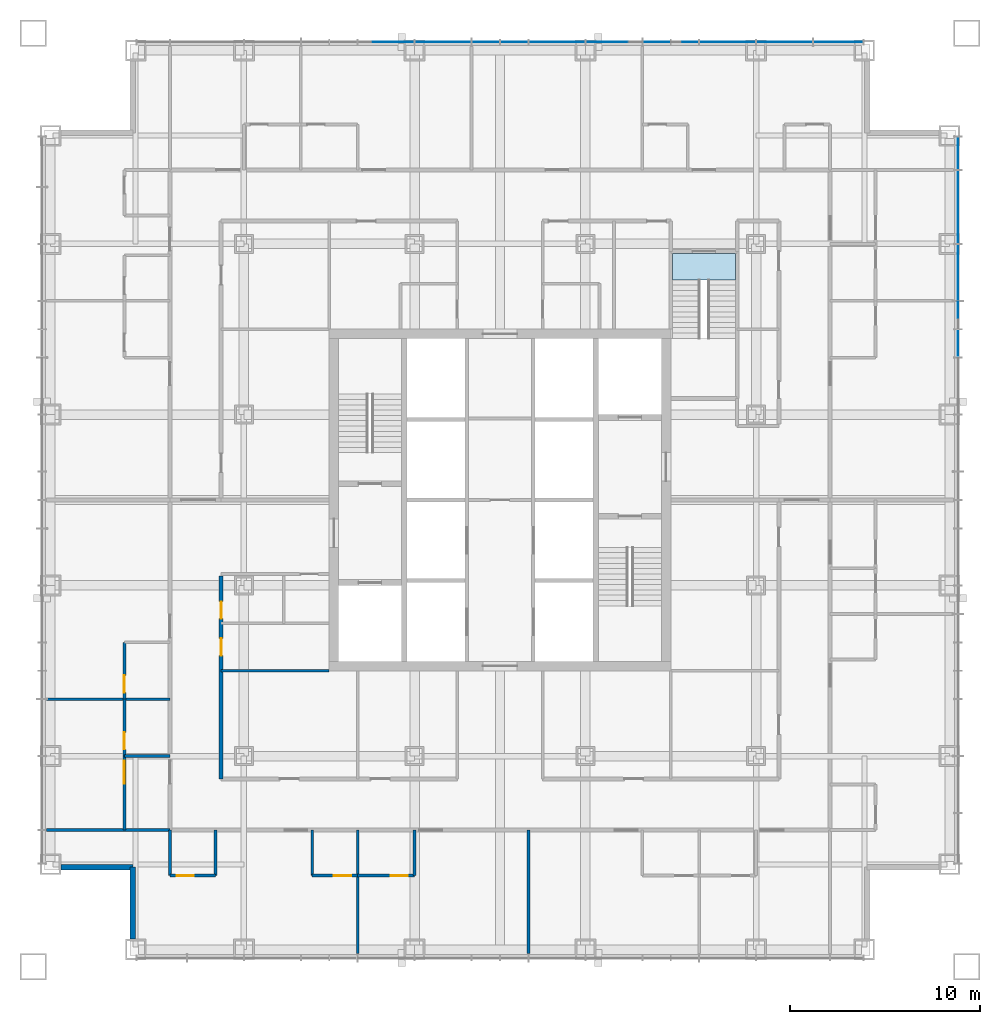
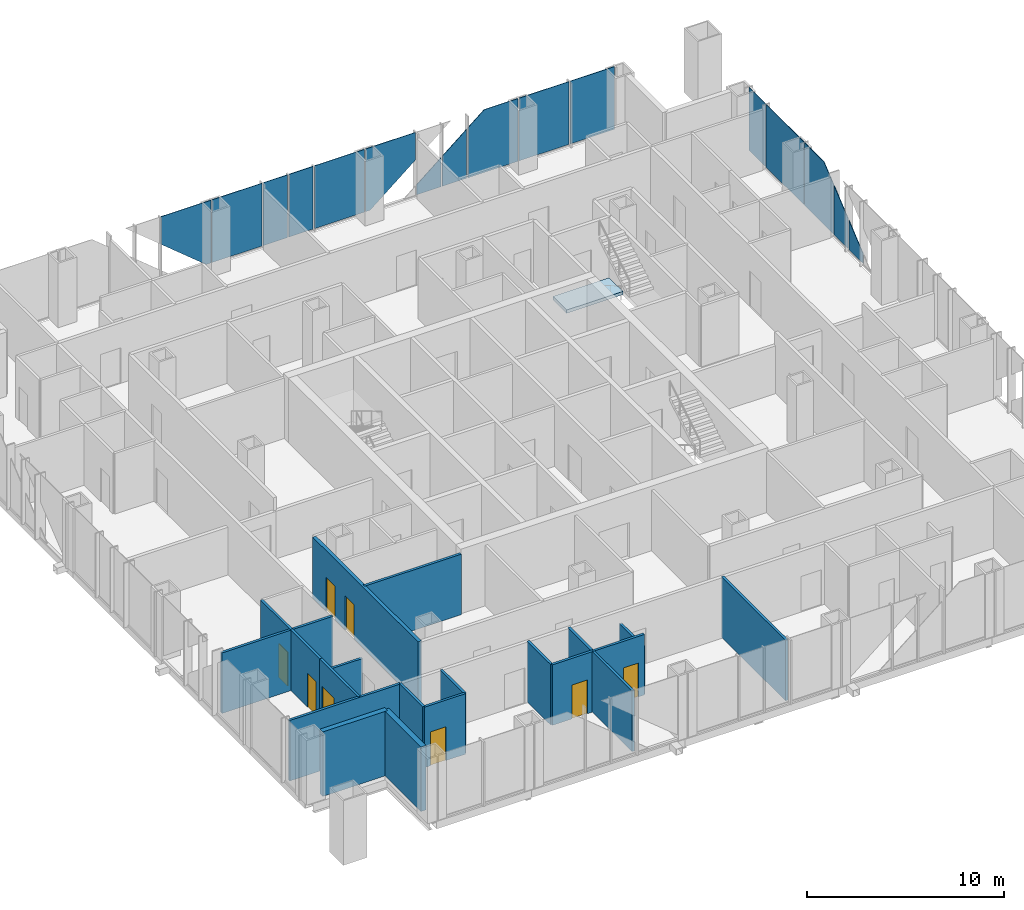
# One storey, part 8 of 18: 19 walls, 16 plates, 8 doors, 1 slab, 8 openings, 3 elements without a shape of their own.
"""IFC4 building model written with IfcOpenShell, lengths in metres."""

from ifc_helpers import new_model, si_unit, direction, frame, frame_2d, origin, origin_2d, place, context, subcontext, project, spatial, polyline, rectangle, outline, extrude, material, layer, layer_set, type_object, element, fill, aggregate, save


model = new_model("IFC4")

# Units and contexts
model_context = context("Model", 3, precision=1e-05, world=origin(), true_north=direction((0.0, 1.0)))
body_context = subcontext(model_context, "Body", "Model", "MODEL_VIEW")
ifc_project = project(units=[si_unit("LENGTHUNIT", "METRE"), si_unit("AREAUNIT", "SQUARE_METRE"), si_unit("VOLUMEUNIT", "CUBIC_METRE"), si_unit("PLANEANGLEUNIT", "RADIAN"), si_unit("MASSUNIT", "GRAM", prefix="KILO")], contexts=[model_context])

# Site, building, storey
site_placement = place(None, origin())
site = spatial("IfcSite", under=ifc_project, at=site_placement, CompositionType="ELEMENT")
building_placement = place(site_placement, origin())
building = spatial("IfcBuilding", under=site, at=building_placement, Name="Malebo Sky Hospital", CompositionType="ELEMENT")
storey_placement = place(building_placement, frame((0.0, 0.0, 124.0)))
storey = spatial("IfcBuildingStorey", under=building, at=storey_placement, Name="L29", CompositionType="ELEMENT", Elevation=124.0)

# Stair, slab
ifc_material_1 = material(Name="Concrete C40/50", Category="concrete")
stair_type = type_object("IfcStairType", Name="HALF-TURN STAIR 1400 R167", PredefinedType="HALF_TURN_STAIR", material=ifc_material_1)
stair_placement = place(storey_placement, origin())
stair = element("IfcStair", 1, at=stair_placement, inside=storey, type_object=stair_type, Name="Stair S3 L29 type ST1B", PredefinedType="HALF_TURN_STAIR")
ifc_layer_1 = layer(ifc_material_1, 0.199951171875)
ifc_layer_set_1 = layer_set([ifc_layer_1], Name="STAIR LANDING 200")
slab_type = type_object("IfcSlabType", Name="STAIR LANDING 200", PredefinedType="LANDING", material=ifc_layer_set_1)
slab_placement = place(storey_placement, frame((0.0, 0.0, -0.199951171875)))
slab = element("IfcSlab", 2, at=slab_placement, type_object=slab_type, Name="S3 landing 1", PredefinedType="LANDING", context=body_context, shape_type="SweptSolid", body=[
    extrude(outline(polyline([(69.10009765625, 73.60009765625), (72.39990234375, 73.60009765625), (72.39990234375, 75.0), (69.10009765625, 75.0), (69.10009765625, 73.60009765625)])), origin(), (0.0, 0.0, 1.0), 0.199951171875),
])
aggregate(stair, [slab])

# Curtain wall, plates
ifc_material_2 = material(Name="Anodised aluminium, natural silver", Category="aluminium")
ifc_layer_2 = layer(ifc_material_2, 0.25)
ifc_layer_set_2 = layer_set([ifc_layer_2], Name="WARD CURTAIN WALL NORTH AND SOUTH")
curtain_wall_type_1 = type_object("IfcCurtainWallType", Name="WARD CURTAIN WALL NORTH AND SOUTH", PredefinedType="NOTDEFINED", material=ifc_layer_set_2)
curtain_wall_1_placement = place(storey_placement, origin())
curtain_wall_1 = element("IfcCurtainWall", 3, at=curtain_wall_1_placement, inside=storey, type_object=curtain_wall_type_1, Name="NS curtain wall N", PredefinedType="NOTDEFINED")
ifc_material_3 = material(Name="Clear low-iron double glazing", Category="glass")
ifc_layer_3 = layer(ifc_material_3, 0.031982421875)
ifc_layer_set_3 = layer_set([ifc_layer_3], Name="VISION PANEL CLEAR 32")
plate_type = type_object("IfcPlateType", Name="VISION PANEL CLEAR 32", PredefinedType="CURTAIN_PANEL", material=ifc_layer_set_3)
plate_1_placement = place(storey_placement, frame((54.0, 86.135009765625, 0.10009765625), z_axis=(0.0, 0.0, 1.0), x_axis=(1.0, 0.0, 0.0)))
plate_1 = element("IfcPlate", 4, at=plate_1_placement, type_object=plate_type, Name="Panel 6", PredefinedType="CURTAIN_PANEL", context=body_context, shape_type="SweptSolid", body=[
    extrude(outline(polyline([(1.18994140625, 0.0), (1.46240234375, 0.0), (1.46240234375, 3.889892578125), (-1.46240234375, 3.889892578125), (-1.46240234375, 2.18603515625), (1.18994140625, 0.0)])), frame((0.0, 0.01611328125, 0.0), z_axis=(0.0, -1.0, 0.0), x_axis=(1.0, 0.0, 0.0)), (0.0, 0.0, 1.0), 0.031982421875),
])
plate_2_placement = place(storey_placement, frame((57.0, 86.135009765625, 0.10009765625), z_axis=(0.0, 0.0, 1.0), x_axis=(1.0, 0.0, 0.0)))
plate_2 = element("IfcPlate", 5, at=plate_2_placement, type_object=plate_type, Name="Panel 7", PredefinedType="CURTAIN_PANEL", context=body_context, shape_type="SweptSolid", body=[
    extrude(rectangle(XDim=2.925048828125, YDim=0.031982421875, at=origin_2d()), origin(), (0.0, 0.0, 1.0), 3.889892578125),
])
plate_3_placement = place(storey_placement, frame((59.25, 86.135009765625, 0.10009765625), z_axis=(0.0, 0.0, 1.0), x_axis=(1.0, 0.0, 0.0)))
plate_3 = element("IfcPlate", 6, at=plate_3_placement, type_object=plate_type, Name="Panel 8", PredefinedType="CURTAIN_PANEL", context=body_context, shape_type="SweptSolid", body=[
    extrude(rectangle(XDim=1.425048828125, YDim=0.031982421875, at=origin_2d()), origin(), (0.0, 0.0, 1.0), 3.889892578125),
])
plate_4_placement = place(storey_placement, frame((60.75, 86.135009765625, 0.10009765625), z_axis=(0.0, 0.0, 1.0), x_axis=(1.0, 0.0, 0.0)))
plate_4 = element("IfcPlate", 7, at=plate_4_placement, type_object=plate_type, Name="Panel 9", PredefinedType="CURTAIN_PANEL", context=body_context, shape_type="SweptSolid", body=[
    extrude(rectangle(XDim=1.425048828125, YDim=0.031982421875, at=origin_2d()), origin(), (0.0, 0.0, 1.0), 3.889892578125),
])
plate_5_placement = place(storey_placement, frame((63.0, 86.135009765625, 0.10009765625), z_axis=(0.0, 0.0, 1.0), x_axis=(1.0, 0.0, 0.0)))
plate_5 = element("IfcPlate", 8, at=plate_5_placement, type_object=plate_type, Name="Panel 10", PredefinedType="CURTAIN_PANEL", context=body_context, shape_type="SweptSolid", body=[
    extrude(rectangle(XDim=2.925048828125, YDim=0.031982421875, at=origin_2d()), origin(), (0.0, 0.0, 1.0), 3.889892578125),
])
plate_6_placement = place(storey_placement, frame((66.0, 86.135009765625, 0.10009765625), z_axis=(0.0, 0.0, 1.0), x_axis=(1.0, 0.0, 0.0)))
plate_6 = element("IfcPlate", 9, at=plate_6_placement, type_object=plate_type, Name="Panel 11", PredefinedType="CURTAIN_PANEL", context=body_context, shape_type="SweptSolid", body=[
    extrude(outline(polyline([(-1.46240234375, 0.0), (-1.18994140625, 0.0), (1.46240234375, 2.18603515625), (1.46240234375, 3.889892578125), (-1.46240234375, 3.889892578125), (-1.46240234375, 0.0)])), frame((0.0, 0.01611328125, 0.0), z_axis=(0.0, -1.0, 0.0), x_axis=(1.0, 0.0, 0.0)), (0.0, 0.0, 1.0), 0.031982421875),
])
plate_7_placement = place(storey_placement, frame((68.25, 86.135009765625, 0.10009765625), z_axis=(0.0, 0.0, 1.0), x_axis=(1.0, 0.0, 0.0)))
plate_7 = element("IfcPlate", 10, at=plate_7_placement, type_object=plate_type, Name="Panel 12", PredefinedType="CURTAIN_PANEL", context=body_context, shape_type="SweptSolid", body=[
    extrude(outline(polyline([(-0.71240234375, 0.0), (0.71240234375, 0.0), (0.71240234375, 1.80126953125), (-0.71240234375, 0.626708984375), (-0.71240234375, 0.0)])), frame((0.0, 0.01611328125, 0.0), z_axis=(0.0, -1.0, 0.0), x_axis=(1.0, 0.0, 0.0)), (0.0, 0.0, 1.0), 0.031982421875),
])
plate_8_placement = place(storey_placement, frame((69.75, 86.135009765625, 0.099853515625), z_axis=(0.0, 0.0, 1.0), x_axis=(1.0, 0.0, 0.0)))
plate_8 = element("IfcPlate", 11, at=plate_8_placement, type_object=plate_type, Name="Panel 13", PredefinedType="CURTAIN_PANEL", context=body_context, shape_type="SweptSolid", body=[
    extrude(outline(polyline([(-0.71240234375, 0.0), (0.71240234375, 0.0), (0.71240234375, 3.03759765625), (-0.71240234375, 1.863037109375), (-0.71240234375, 0.0)])), frame((0.0, 0.01611328125, 0.0), z_axis=(0.0, -1.0, 0.0), x_axis=(1.0, 0.0, 0.0)), (0.0, 0.0, 1.0), 0.031982421875),
])
plate_9_placement = place(storey_placement, frame((72.0, 86.135009765625, 0.10009765625), z_axis=(0.0, 0.0, 1.0), x_axis=(1.0, 0.0, 0.0)))
plate_9 = element("IfcPlate", 12, at=plate_9_placement, type_object=plate_type, Name="Panel 14", PredefinedType="CURTAIN_PANEL", context=body_context, shape_type="SweptSolid", body=[
    extrude(outline(polyline([(-1.46240234375, 0.0), (1.46240234375, 0.0), (1.46240234375, 3.889892578125), (-0.503173828125, 3.889892578125), (-1.46240234375, 3.099365234375), (-1.46240234375, 0.0)])), frame((0.0, 0.01611328125, 0.0), z_axis=(0.0, -1.0, 0.0), x_axis=(1.0, 0.0, 0.0)), (0.0, 0.0, 1.0), 0.031982421875),
])
plate_10_placement = place(storey_placement, frame((75.0, 86.135009765625, 0.10009765625), z_axis=(0.0, 0.0, 1.0), x_axis=(1.0, 0.0, 0.0)))
plate_10 = element("IfcPlate", 13, at=plate_10_placement, type_object=plate_type, Name="Panel 15", PredefinedType="CURTAIN_PANEL", context=body_context, shape_type="SweptSolid", body=[
    extrude(rectangle(XDim=2.925048828125, YDim=0.031982421875, at=origin_2d()), origin(), (0.0, 0.0, 1.0), 3.889892578125),
])
plate_11_placement = place(storey_placement, frame((77.831298828125, 86.135009765625, 0.10009765625), z_axis=(0.0, 0.0, 1.0), x_axis=(1.0, 0.0, 0.0)))
plate_11 = element("IfcPlate", 14, at=plate_11_placement, type_object=plate_type, Name="Panel 16", PredefinedType="CURTAIN_PANEL", context=body_context, shape_type="SweptSolid", body=[
    extrude(rectangle(XDim=2.58740234375, YDim=0.031982421875, at=origin_2d()), origin(), (0.0, 0.0, 1.0), 3.889892578125),
])
aggregate(curtain_wall_1, [plate_1, plate_2, plate_3, plate_4, plate_5, plate_6, plate_7, plate_8, plate_9, plate_10, plate_11])

ifc_layer_4 = layer(ifc_material_2, 0.25)
ifc_layer_set_4 = layer_set([ifc_layer_4], Name="WARD CURTAIN WALL EAST AND WEST")
curtain_wall_type_2 = type_object("IfcCurtainWallType", Name="WARD CURTAIN WALL EAST AND WEST", PredefinedType="NOTDEFINED", material=ifc_layer_set_4)
curtain_wall_2_placement = place(storey_placement, origin())
curtain_wall_2 = element("IfcCurtainWall", 15, at=curtain_wall_2_placement, inside=storey, type_object=curtain_wall_type_2, Name="EW curtain wall E", PredefinedType="NOTDEFINED")
plate_12_placement = place(storey_placement, frame((84.135009765625, 80.28125, 0.10009765625), z_axis=(0.0, 0.0, 1.0), x_axis=(0.0, -1.0, 0.0)))
plate_12 = element("IfcPlate", 16, at=plate_12_placement, type_object=plate_type, Name="Panel 1", PredefinedType="CURTAIN_PANEL", context=body_context, shape_type="SweptSolid", body=[
    extrude(rectangle(XDim=1.6875, YDim=0.031982421875, at=origin_2d()), origin(), (0.0, 0.0, 1.0), 3.889892578125),
])
plate_13_placement = place(storey_placement, frame((84.135009765625, 77.449951171875, 0.10009765625), z_axis=(0.0, 0.0, 1.0), x_axis=(0.0, -1.0, 0.0)))
plate_13 = element("IfcPlate", 17, at=plate_13_placement, type_object=plate_type, Name="Panel 2", PredefinedType="CURTAIN_PANEL", context=body_context, shape_type="SweptSolid", body=[
    extrude(rectangle(XDim=3.824951171875, YDim=0.031982421875, at=origin_2d()), origin(), (0.0, 0.0, 1.0), 3.889892578125),
])
plate_14_placement = place(storey_placement, frame((84.135009765625, 74.0, 0.10009765625), z_axis=(0.0, 0.0, 1.0), x_axis=(0.0, -1.0, 0.0)))
plate_14 = element("IfcPlate", 18, at=plate_14_placement, type_object=plate_type, Name="Panel 3", PredefinedType="CURTAIN_PANEL", context=body_context, shape_type="SweptSolid", body=[
    extrude(outline(polyline([(-1.46240234375, 0.0), (1.46240234375, 0.0), (1.46240234375, 3.099365234375), (0.503173828125, 3.889892578125), (-1.46240234375, 3.889892578125), (-1.46240234375, 0.0)])), frame((0.0, 0.01611328125, 0.0), z_axis=(0.0, -1.0, 0.0), x_axis=(1.0, 0.0, 0.0)), (0.0, 0.0, 1.0), 0.031982421875),
])
plate_15_placement = place(storey_placement, frame((84.135009765625, 71.75, 0.099853515625), z_axis=(0.0, 0.0, 1.0), x_axis=(0.0, -1.0, 0.0)))
plate_15 = element("IfcPlate", 19, at=plate_15_placement, type_object=plate_type, Name="Panel 4", PredefinedType="CURTAIN_PANEL", context=body_context, shape_type="SweptSolid", body=[
    extrude(outline(polyline([(-0.71240234375, 0.0), (0.71240234375, 0.0), (0.71240234375, 1.863037109375), (-0.71240234375, 3.03759765625), (-0.71240234375, 0.0)])), frame((0.0, 0.01611328125, 0.0), z_axis=(0.0, -1.0, 0.0), x_axis=(1.0, 0.0, 0.0)), (0.0, 0.0, 1.0), 0.031982421875),
])
plate_16_placement = place(storey_placement, frame((84.135009765625, 70.25, 0.10009765625), z_axis=(0.0, 0.0, 1.0), x_axis=(0.0, -1.0, 0.0)))
plate_16 = element("IfcPlate", 20, at=plate_16_placement, type_object=plate_type, Name="Panel 5", PredefinedType="CURTAIN_PANEL", context=body_context, shape_type="SweptSolid", body=[
    extrude(outline(polyline([(-0.71240234375, 0.0), (0.71240234375, 0.0), (0.71240234375, 0.626708984375), (-0.71240234375, 1.80126953125), (-0.71240234375, 0.0)])), frame((0.0, 0.01611328125, 0.0), z_axis=(0.0, -1.0, 0.0), x_axis=(1.0, 0.0, 0.0)), (0.0, 0.0, 1.0), 0.031982421875),
])
aggregate(curtain_wall_2, [plate_12, plate_13, plate_14, plate_15, plate_16])

# Wall, openings, doors
ifc_material_4 = material(Name="Gypsum board on steel studs", Category="steel")
ifc_layer_5 = layer(ifc_material_4, 0.199951171875)
ifc_layer_set_5 = layer_set([ifc_layer_5], Name="CORRIDOR WALL 200")
wall_type_1 = type_object("IfcWallType", Name="CORRIDOR WALL 200", PredefinedType="PARTITIONING", material=ifc_layer_set_5)
wall_1_placement = place(storey_placement, frame((45.300048828125, 47.300048828125, 0.0), z_axis=(0.0, 0.0, 1.0), x_axis=(0.0, 1.0, 0.0)))
wall_1 = element("IfcWall", 21, at=wall_1_placement, inside=storey, type_object=wall_type_1, Name="Corridor Wall 200 WCI1", PredefinedType="PARTITIONING", context=body_context, shape_type="SweptSolid", body=[
    extrude(rectangle(XDim=10.699951171875, YDim=0.199951171875, at=frame_2d((5.35009765625, 0.0))), origin(), (0.0, 0.0, 1.0), 3.75),
])
opening_1_placement = place(wall_1_placement, frame((6.5, 0.0, 0.0)))
opening_1 = element("IfcOpeningElement", 22, at=opening_1_placement, cuts=wall_1, Name="Opening D04", PredefinedType="OPENING", context=body_context, shape_type="SweptSolid", body=[
    extrude(rectangle(XDim=0.89990234375, YDim=2.10009765625, at=frame_2d((0.449951171875, 1.050048828125))), frame((0.0, 0.10986328125, 0.0), z_axis=(0.0, -1.0, 0.0), x_axis=(1.0, 0.0, 0.0)), (0.0, 0.0, 1.0), 0.219970703125),
])
opening_2_placement = place(wall_1_placement, frame((8.449951171875, 0.0, 0.0)))
opening_2 = element("IfcOpeningElement", 23, at=opening_2_placement, cuts=wall_1, Name="Opening D04", PredefinedType="OPENING", context=body_context, shape_type="SweptSolid", body=[
    extrude(rectangle(XDim=0.89990234375, YDim=2.10009765625, at=frame_2d((0.449951171875, 1.050048828125))), frame((0.0, 0.10986328125, 0.0), z_axis=(0.0, -1.0, 0.0), x_axis=(1.0, 0.0, 0.0)), (0.0, 0.0, 1.0), 0.219970703125),
])
ifc_material_5 = material(Name="Hardwood-faced door leaf in steel frame", Category="steel")
door_type_1 = type_object("IfcDoorType", Name="ROOM DOOR 900", OperationType="SINGLE_SWING_LEFT", PredefinedType="DOOR", material=ifc_material_5)
door_1_placement = place(opening_1_placement, origin())
door_1 = element("IfcDoor", 24, at=door_1_placement, inside=storey, type_object=door_type_1, Name="Dirty utility room door", OperationType="SINGLE_SWING_LEFT", OverallHeight=2.10009765625, OverallWidth=0.89990234375, PredefinedType="DOOR", context=body_context, shape_type="SweptSolid", body=[
    extrude(rectangle(XDim=0.89990234375, YDim=2.10009765625, at=frame_2d((0.449951171875, 1.050048828125))), frame((0.0, 0.02490234375, 0.0), z_axis=(0.0, -1.0, 0.0), x_axis=(1.0, 0.0, 0.0)), (0.0, 0.0, 1.0), 0.050048828125),
])
fill(opening_1, door_1)
door_2_placement = place(opening_2_placement, origin())
door_2 = element("IfcDoor", 25, at=door_2_placement, inside=storey, type_object=door_type_1, Name="Linen store door", OperationType="SINGLE_SWING_LEFT", OverallHeight=2.10009765625, OverallWidth=0.89990234375, PredefinedType="DOOR", context=body_context, shape_type="SweptSolid", body=[
    extrude(rectangle(XDim=0.89990234375, YDim=2.10009765625, at=frame_2d((0.449951171875, 1.050048828125))), frame((0.0, 0.02490234375, 0.0), z_axis=(0.0, -1.0, 0.0), x_axis=(1.0, 0.0, 0.0)), (0.0, 0.0, 1.0), 0.050048828125),
])
fill(opening_2, door_2)

# Walls
ifc_material_6 = material(Name="Anodised aluminium rainscreen on steel framing", Category="steel")
ifc_layer_6 = layer(ifc_material_6, 0.300048828125)
ifc_layer_set_6 = layer_set([ifc_layer_6], Name="NOTCH RAINSCREEN WALL 300")
wall_type_2 = type_object("IfcWallType", Name="NOTCH RAINSCREEN WALL 300", PredefinedType="ELEMENTEDWALL", material=ifc_layer_set_6)
for number, where, z_axis, x_axis, name in (
    (26, (40.64990234375, 38.85009765625, 0.0), (0.0, 0.0, 1.0), (0.0, 1.0, 0.0), "Notch rainscreen wall S1 L29"),
    (27, (40.64990234375, 42.64990234375, 0.0), (0.0, 0.0, 1.0), (-1.0, 0.0, 0.0), "Notch rainscreen wall S2 L29"),
):
    element("IfcWall", number, at=place(storey_placement, frame(where, z_axis=z_axis, x_axis=x_axis)), inside=storey, type_object=wall_type_2, Name=name, PredefinedType="ELEMENTEDWALL", context=body_context, shape_type="SweptSolid", body=[
        extrude(rectangle(XDim=3.7998046875, YDim=0.300048828125, at=frame_2d((1.89990234375, 0.0))), origin(), (0.0, 0.0, 1.0), 4.0),
    ])
ifc_layer_7 = layer(ifc_material_4, 0.14990234375)
ifc_layer_set_7 = layer_set([ifc_layer_7], Name="PARTITION 150")
wall_type_3 = type_object("IfcWallType", Name="PARTITION 150", PredefinedType="PARTITIONING", material=ifc_layer_set_7)
for number, where, z_axis, x_axis, name in (
    (28, (42.60009765625, 51.5, 0.0), (0.0, 0.0, 1.0), (-1.0, 0.0, 0.0), "Partition 150 WP-10.5"),
    (29, (42.60009765625, 44.60009765625, 0.0), (0.0, 0.0, 1.0), (-1.0, 0.0, 0.0), "Partition 150 WP0"),
):
    element("IfcWall", number, at=place(storey_placement, frame(where, z_axis=z_axis, x_axis=x_axis)), inside=storey, type_object=wall_type_3, Name=name, PredefinedType="PARTITIONING", context=body_context, shape_type="SweptSolid", body=[
        extrude(rectangle(XDim=6.510009765625, YDim=0.14990234375, at=frame_2d((3.2548828125, 0.0))), origin(), (0.0, 0.0, 1.0), 3.75),
    ])

# Wall, opening, door
wall_2_placement = place(storey_placement, frame((40.199951171875, 48.5, 0.0), z_axis=(0.0, 0.0, 1.0), x_axis=(0.0, 1.0, 0.0)))
wall_2 = element("IfcWall", 30, at=wall_2_placement, inside=storey, type_object=wall_type_3, Name="Partition 150 WE0F", PredefinedType="PARTITIONING", context=body_context, shape_type="SweptSolid", body=[
    extrude(rectangle(XDim=3.0, YDim=0.14990234375, at=frame_2d((1.5, 0.0))), origin(), (0.0, 0.0, 1.0), 3.75),
])
opening_3_placement = place(wall_2_placement, frame((0.35009765625, 0.0, 0.0)))
opening_3 = element("IfcOpeningElement", 31, at=opening_3_placement, cuts=wall_2, Name="Opening D02", PredefinedType="OPENING", context=body_context, shape_type="SweptSolid", body=[
    extrude(rectangle(XDim=0.89990234375, YDim=2.10009765625, at=frame_2d((0.449951171875, 1.050048828125))), frame((0.0, 0.0849609375, 0.0), z_axis=(0.0, -1.0, 0.0), x_axis=(1.0, 0.0, 0.0)), (0.0, 0.0, 1.0), 0.169921875),
])
door_type_2 = type_object("IfcDoorType", Name="EN-SUITE DOOR 900", OperationType="SINGLE_SWING_LEFT", PredefinedType="DOOR", material=ifc_material_5)
door_3_placement = place(opening_3_placement, origin())
door_3 = element("IfcDoor", 32, at=door_3_placement, inside=storey, type_object=door_type_2, Name="En-suite door", OperationType="SINGLE_SWING_LEFT", OverallHeight=2.10009765625, OverallWidth=0.89990234375, PredefinedType="DOOR", context=body_context, shape_type="SweptSolid", body=[
    extrude(rectangle(XDim=0.89990234375, YDim=2.10009765625, at=frame_2d((0.449951171875, 1.050048828125))), frame((0.0, 0.02490234375, 0.0), z_axis=(0.0, -1.0, 0.0), x_axis=(1.0, 0.0, 0.0)), (0.0, 0.0, 1.0), 0.050048828125),
])
fill(opening_3, door_3)

# Wall
wall_3_placement = place(storey_placement, frame((42.60009765625, 48.5, 0.0), z_axis=(0.0, 0.0, 1.0), x_axis=(-1.0, 0.0, 0.0)))
element("IfcWall", 33, at=wall_3_placement, inside=storey, type_object=wall_type_3, Name="Partition 150 WE0S", PredefinedType="PARTITIONING", context=body_context, shape_type="SweptSolid", body=[
    extrude(rectangle(XDim=2.400146484375, YDim=0.14990234375, at=frame_2d((1.2001953125, 0.0))), origin(), (0.0, 0.0, 1.0), 2.949951171875),
])

# Wall, opening, door
wall_4_placement = place(storey_placement, frame((40.199951171875, 51.5, 0.0), z_axis=(0.0, 0.0, 1.0), x_axis=(0.0, 1.0, 0.0)))
wall_4 = element("IfcWall", 34, at=wall_4_placement, inside=storey, type_object=wall_type_3, Name="Partition 150 WE1F", PredefinedType="PARTITIONING", context=body_context, shape_type="SweptSolid", body=[
    extrude(rectangle(XDim=3.0, YDim=0.14990234375, at=frame_2d((1.5, 0.0))), origin(), (0.0, 0.0, 1.0), 3.75),
])
opening_4_placement = place(wall_4_placement, frame((0.35009765625, 0.0, 0.0)))
opening_4 = element("IfcOpeningElement", 35, at=opening_4_placement, cuts=wall_4, Name="Opening D02", PredefinedType="OPENING", context=body_context, shape_type="SweptSolid", body=[
    extrude(rectangle(XDim=0.89990234375, YDim=2.10009765625, at=frame_2d((0.449951171875, 1.050048828125))), frame((0.0, 0.0849609375, 0.0), z_axis=(0.0, -1.0, 0.0), x_axis=(1.0, 0.0, 0.0)), (0.0, 0.0, 1.0), 0.169921875),
])
door_4_placement = place(opening_4_placement, origin())
door_4 = element("IfcDoor", 36, at=door_4_placement, inside=storey, type_object=door_type_2, Name="En-suite door", OperationType="SINGLE_SWING_LEFT", OverallHeight=2.10009765625, OverallWidth=0.89990234375, PredefinedType="DOOR", context=body_context, shape_type="SweptSolid", body=[
    extrude(rectangle(XDim=0.89990234375, YDim=2.10009765625, at=frame_2d((0.449951171875, 1.050048828125))), frame((0.0, 0.02490234375, 0.0), z_axis=(0.0, -1.0, 0.0), x_axis=(1.0, 0.0, 0.0)), (0.0, 0.0, 1.0), 0.050048828125),
])
fill(opening_4, door_4)

# Walls
wall_5_placement = place(storey_placement, frame((51.0, 53.0, 0.0), z_axis=(0.0, 0.0, 1.0), x_axis=(-1.0, 0.0, 0.0)))
element("IfcWall", 37, at=wall_5_placement, inside=storey, type_object=wall_type_3, Name="Partition 150 WSP0", PredefinedType="PARTITIONING", context=body_context, shape_type="SweptSolid", body=[
    extrude(rectangle(XDim=5.699951171875, YDim=0.14990234375, at=frame_2d((2.85009765625, 0.0))), origin(), (0.0, 0.0, 1.0), 3.75),
])
for number, where, z_axis, x_axis, name in (
    (38, (61.5, 44.60009765625, 0.0), (0.0, 0.0, 1.0), (0.0, -1.0, 0.0), "Partition 150 SP-1.5"),
    (39, (52.5, 44.60009765625, 0.0), (0.0, 0.0, 1.0), (0.0, -1.0, 0.0), "Partition 150 SP+7.5"),
):
    element("IfcWall", number, at=place(storey_placement, frame(where, z_axis=z_axis, x_axis=x_axis)), inside=storey, type_object=wall_type_3, Name=name, PredefinedType="PARTITIONING", context=body_context, shape_type="SweptSolid", body=[
        extrude(rectangle(XDim=6.510009765625, YDim=0.14990234375, at=frame_2d((3.2548828125, 0.0))), origin(), (0.0, 0.0, 1.0), 3.75),
    ])

# Wall, opening, door
wall_6_placement = place(storey_placement, frame((55.5, 42.199951171875, 0.0), z_axis=(0.0, 0.0, 1.0), x_axis=(-1.0, 0.0, 0.0)))
wall_6 = element("IfcWall", 40, at=wall_6_placement, inside=storey, type_object=wall_type_3, Name="Partition 150 SE2F", PredefinedType="PARTITIONING", context=body_context, shape_type="SweptSolid", body=[
    extrude(rectangle(XDim=3.0, YDim=0.14990234375, at=frame_2d((1.5, 0.0))), origin(), (0.0, 0.0, 1.0), 3.75),
])
opening_5_placement = place(wall_6_placement, frame((0.35009765625, 0.0, 0.0)))
opening_5 = element("IfcOpeningElement", 41, at=opening_5_placement, cuts=wall_6, Name="Opening D02", PredefinedType="OPENING", context=body_context, shape_type="SweptSolid", body=[
    extrude(rectangle(XDim=0.89990234375, YDim=2.10009765625, at=frame_2d((0.449951171875, 1.050048828125))), frame((0.0, 0.0849609375, 0.0), z_axis=(0.0, -1.0, 0.0), x_axis=(1.0, 0.0, 0.0)), (0.0, 0.0, 1.0), 0.169921875),
])
door_5_placement = place(opening_5_placement, origin())
door_5 = element("IfcDoor", 42, at=door_5_placement, inside=storey, type_object=door_type_2, Name="En-suite door", OperationType="SINGLE_SWING_LEFT", OverallHeight=2.10009765625, OverallWidth=0.89990234375, PredefinedType="DOOR", context=body_context, shape_type="SweptSolid", body=[
    extrude(rectangle(XDim=0.89990234375, YDim=2.10009765625, at=frame_2d((0.449951171875, 1.050048828125))), frame((0.0, 0.02490234375, 0.0), z_axis=(0.0, -1.0, 0.0), x_axis=(1.0, 0.0, 0.0)), (0.0, 0.0, 1.0), 0.050048828125),
])
fill(opening_5, door_5)

# Wall
wall_7_placement = place(storey_placement, frame((55.5, 44.60009765625, 0.0), z_axis=(0.0, 0.0, 1.0), x_axis=(0.0, -1.0, 0.0)))
element("IfcWall", 43, at=wall_7_placement, inside=storey, type_object=wall_type_3, Name="Partition 150 SE2S", PredefinedType="PARTITIONING", context=body_context, shape_type="SweptSolid", body=[
    extrude(rectangle(XDim=2.400146484375, YDim=0.14990234375, at=frame_2d((1.2001953125, 0.0))), origin(), (0.0, 0.0, 1.0), 2.949951171875),
])

# Wall, opening, door
wall_8_placement = place(storey_placement, frame((52.5, 42.199951171875, 0.0), z_axis=(0.0, 0.0, 1.0), x_axis=(-1.0, 0.0, 0.0)))
wall_8 = element("IfcWall", 44, at=wall_8_placement, inside=storey, type_object=wall_type_3, Name="Partition 150 SE3F", PredefinedType="PARTITIONING", context=body_context, shape_type="SweptSolid", body=[
    extrude(rectangle(XDim=2.39990234375, YDim=0.14990234375, at=frame_2d((1.199951171875, 0.0))), origin(), (0.0, 0.0, 1.0), 3.75),
])
opening_6_placement = place(wall_8_placement, frame((0.35009765625, 0.0, 0.0)))
opening_6 = element("IfcOpeningElement", 45, at=opening_6_placement, cuts=wall_8, Name="Opening D02", PredefinedType="OPENING", context=body_context, shape_type="SweptSolid", body=[
    extrude(rectangle(XDim=0.89990234375, YDim=2.10009765625, at=frame_2d((0.449951171875, 1.050048828125))), frame((0.0, 0.0849609375, 0.0), z_axis=(0.0, -1.0, 0.0), x_axis=(1.0, 0.0, 0.0)), (0.0, 0.0, 1.0), 0.169921875),
])
door_6_placement = place(opening_6_placement, origin())
door_6 = element("IfcDoor", 46, at=door_6_placement, inside=storey, type_object=door_type_2, Name="En-suite door", OperationType="SINGLE_SWING_LEFT", OverallHeight=2.10009765625, OverallWidth=0.89990234375, PredefinedType="DOOR", context=body_context, shape_type="SweptSolid", body=[
    extrude(rectangle(XDim=0.89990234375, YDim=2.10009765625, at=frame_2d((0.449951171875, 1.050048828125))), frame((0.0, 0.02490234375, 0.0), z_axis=(0.0, -1.0, 0.0), x_axis=(1.0, 0.0, 0.0)), (0.0, 0.0, 1.0), 0.050048828125),
])
fill(opening_6, door_6)

# Wall
wall_9_placement = place(storey_placement, frame((50.10009765625, 44.60009765625, 0.0), z_axis=(0.0, 0.0, 1.0), x_axis=(0.0, -1.0, 0.0)))
element("IfcWall", 47, at=wall_9_placement, inside=storey, type_object=wall_type_3, Name="Partition 150 SE3S", PredefinedType="PARTITIONING", context=body_context, shape_type="SweptSolid", body=[
    extrude(rectangle(XDim=2.400146484375, YDim=0.14990234375, at=frame_2d((1.2001953125, 0.0))), origin(), (0.0, 0.0, 1.0), 3.75),
])

# Wall, opening, door
wall_10_placement = place(storey_placement, frame((45.0, 42.199951171875, 0.0), z_axis=(0.0, 0.0, 1.0), x_axis=(-1.0, 0.0, 0.0)))
wall_10 = element("IfcWall", 48, at=wall_10_placement, inside=storey, type_object=wall_type_3, Name="Partition 150 SG3F", PredefinedType="PARTITIONING", context=body_context, shape_type="SweptSolid", body=[
    extrude(rectangle(XDim=2.39990234375, YDim=0.14990234375, at=frame_2d((1.199951171875, 0.0))), origin(), (0.0, 0.0, 1.0), 3.75),
])
opening_7_placement = place(wall_10_placement, frame((1.14990234375, 0.0, 0.0)))
opening_7 = element("IfcOpeningElement", 49, at=opening_7_placement, cuts=wall_10, Name="Opening D02", PredefinedType="OPENING", context=body_context, shape_type="SweptSolid", body=[
    extrude(rectangle(XDim=0.89990234375, YDim=2.10009765625, at=frame_2d((0.449951171875, 1.050048828125))), frame((0.0, 0.0849609375, 0.0), z_axis=(0.0, -1.0, 0.0), x_axis=(1.0, 0.0, 0.0)), (0.0, 0.0, 1.0), 0.169921875),
])
door_7_placement = place(opening_7_placement, origin())
door_7 = element("IfcDoor", 50, at=door_7_placement, inside=storey, type_object=door_type_2, Name="En-suite door", OperationType="SINGLE_SWING_RIGHT", OverallHeight=2.10009765625, OverallWidth=0.89990234375, PredefinedType="DOOR", context=body_context, shape_type="SweptSolid", body=[
    extrude(rectangle(XDim=0.89990234375, YDim=2.10009765625, at=frame_2d((0.449951171875, 1.050048828125))), frame((0.0, 0.02490234375, 0.0), z_axis=(0.0, -1.0, 0.0), x_axis=(1.0, 0.0, 0.0)), (0.0, 0.0, 1.0), 0.050048828125),
])
fill(opening_7, door_7)

# Walls
for number, where, z_axis, x_axis, name in (
    (51, (45.0, 44.60009765625, 0.0), (0.0, 0.0, 1.0), (0.0, -1.0, 0.0), "Partition 150 SG3S"),
    (52, (42.60009765625, 44.60009765625, 0.0), (0.0, 0.0, 1.0), (0.0, -1.0, 0.0), "Partition 150 SEZ"),
):
    element("IfcWall", number, at=place(storey_placement, frame(where, z_axis=z_axis, x_axis=x_axis)), inside=storey, type_object=wall_type_3, Name=name, PredefinedType="PARTITIONING", context=body_context, shape_type="SweptSolid", body=[
        extrude(rectangle(XDim=2.400146484375, YDim=0.14990234375, at=frame_2d((1.2001953125, 0.0))), origin(), (0.0, 0.0, 1.0), 3.75),
    ])

# Wall, opening, door
ifc_material_7 = material(Name="Sealed gypsum board on steel studs, taped to the slab", Category="steel")
ifc_layer_8 = layer(ifc_material_7, 0.14990234375)
ifc_layer_set_8 = layer_set([ifc_layer_8], Name="SEALED ISOLATION PARTITION 150")
wall_type_4 = type_object("IfcWallType", Name="SEALED ISOLATION PARTITION 150", PredefinedType="PARTITIONING", material=ifc_layer_set_8)
wall_11_placement = place(storey_placement, frame((40.199951171875, 44.60009765625, 0.0), z_axis=(0.0, 0.0, 1.0), x_axis=(0.0, 1.0, 0.0)))
wall_11 = element("IfcWall", 53, at=wall_11_placement, inside=storey, type_object=wall_type_4, Name="Sealed Isolation Partition 150 WA0F", PredefinedType="PARTITIONING", context=body_context, shape_type="SweptSolid", body=[
    extrude(rectangle(XDim=3.89990234375, YDim=0.14990234375, at=frame_2d((1.949951171875, 0.0))), origin(), (0.0, 0.0, 1.0), 3.75),
])
opening_8_placement = place(wall_11_placement, frame((2.449951171875, 0.0, 0.0)))
opening_8 = element("IfcOpeningElement", 54, at=opening_8_placement, cuts=wall_11, Name="Opening D19", PredefinedType="OPENING", context=body_context, shape_type="SweptSolid", body=[
    extrude(rectangle(XDim=1.199951171875, YDim=2.199951171875, at=frame_2d((0.60009765625, 1.10009765625))), frame((0.0, 0.0849609375, 0.0), z_axis=(0.0, -1.0, 0.0), x_axis=(1.0, 0.0, 0.0)), (0.0, 0.0, 1.0), 0.169921875),
])
ifc_material_8 = material(Name="Hardwood-faced door leaf with perimeter seals in steel frame", Category="steel")
door_type_3 = type_object("IfcDoorType", Name="SEALED ISOLATION ROOM DOOR 1200", OperationType="SINGLE_SWING_LEFT", PredefinedType="DOOR", material=ifc_material_8)
door_8_placement = place(opening_8_placement, origin())
door_8 = element("IfcDoor", 55, at=door_8_placement, inside=storey, type_object=door_type_3, Name="Isolation room door", OperationType="SINGLE_SWING_RIGHT", OverallHeight=2.199951171875, OverallWidth=1.199951171875, PredefinedType="DOOR", context=body_context, shape_type="SweptSolid", body=[
    extrude(rectangle(XDim=1.199951171875, YDim=2.199951171875, at=frame_2d((0.60009765625, 1.10009765625))), frame((0.0, 0.02490234375, 0.0), z_axis=(0.0, -1.0, 0.0), x_axis=(1.0, 0.0, 0.0)), (0.0, 0.0, 1.0), 0.050048828125),
])
fill(opening_8, door_8)

save(model, "model.ifc")
